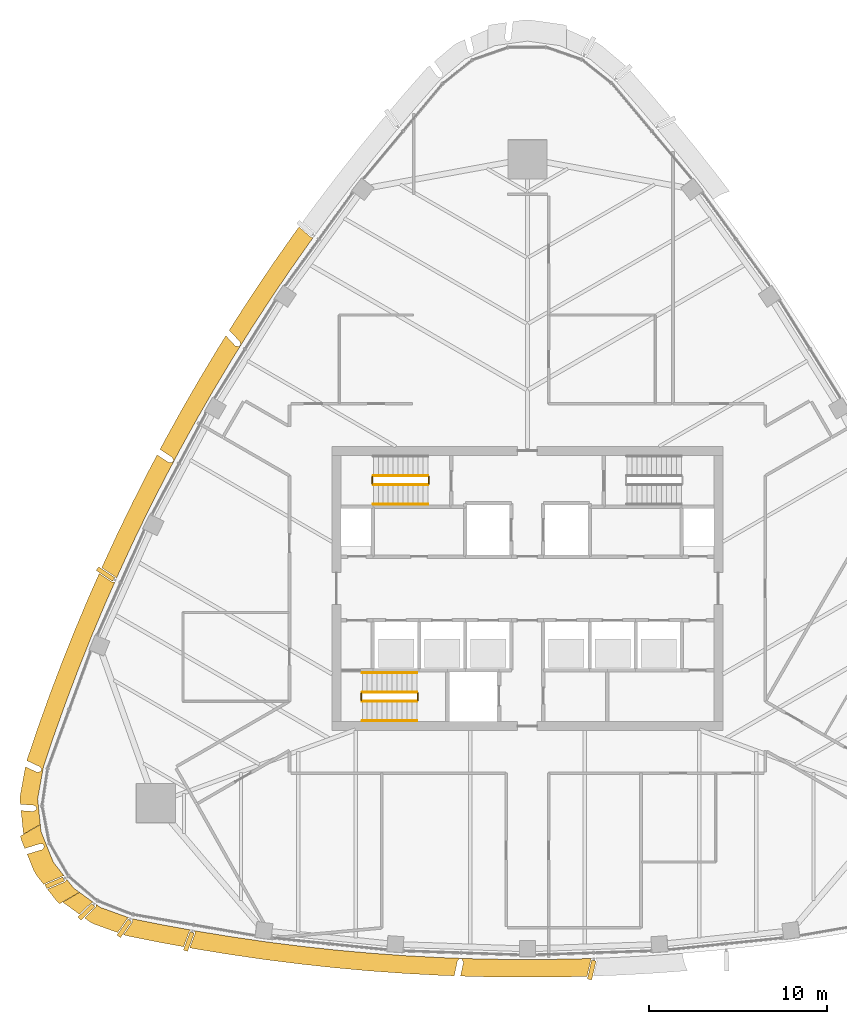
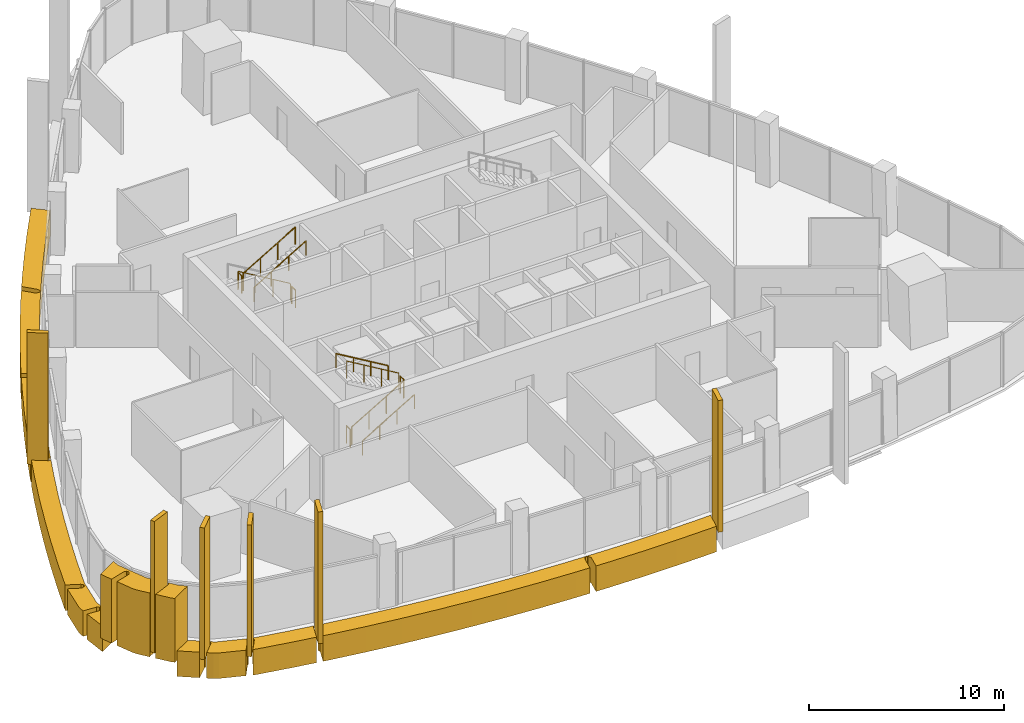
# One storey, part 15 of 18: 14 coverings, 11 railings.
"""IFC4 building model written with IfcOpenShell, lengths in metres."""

from ifc_helpers import new_model, si_unit, direction, frame, origin, origin_2d, place, context, subcontext, project, spatial, polyline, rectangle, circle, outline, extrude, material, layer, layer_set, material_profile, profile_set, type_object, element, save


model = new_model("IFC4")

# Units and contexts
model_context = context("Model", 3, precision=1e-05, world=origin(), true_north=direction((0.0, 1.0)))
body_context = subcontext(model_context, "Body", "Model", "MODEL_VIEW")
ifc_project = project(units=[si_unit("LENGTHUNIT", "METRE"), si_unit("AREAUNIT", "SQUARE_METRE"), si_unit("VOLUMEUNIT", "CUBIC_METRE"), si_unit("PLANEANGLEUNIT", "RADIAN"), si_unit("MASSUNIT", "GRAM", prefix="KILO")], contexts=[model_context])

# Site, building, storey
site_placement = place(None, origin())
site = spatial("IfcSite", under=ifc_project, at=site_placement, CompositionType="ELEMENT")
building_placement = place(site_placement, origin())
building = spatial("IfcBuilding", under=site, at=building_placement, Name="Sierra Prisma Convention Tower", CompositionType="ELEMENT")
storey_placement = place(building_placement, frame((0.0, 0.0, 279.0)))
storey = spatial("IfcBuildingStorey", under=building, at=storey_placement, Name="L63", CompositionType="ELEMENT", Elevation=279.0)

# Coverings
ifc_material_1 = material(Name="Aluminium composite bronze anodised", Category="aluminium")
ifc_layer_1 = layer(ifc_material_1, 1.199951171875)
ifc_layer_set_1 = layer_set([ifc_layer_1], Name="Bronze corner pier")
covering_type_1 = type_object("IfcCoveringType", Name="Bronze corner pier", PredefinedType="CLADDING", material=ifc_layer_set_1)
covering_1_placement = place(storey_placement, frame((0.0, 0.0, -0.60009765625)))
element("IfcCovering", 1, at=covering_1_placement, inside=storey, type_object=covering_type_1, Name="Corner pier SW L63.1", PredefinedType="CLADDING", context=body_context, shape_type="SweptSolid", body=[
    extrude(outline(polyline([(-27.213623046875, -14.5615234375), (-27.212158203125, -14.55712890625), (-27.2109375, -14.552490234375), (-27.210205078125, -14.547607421875), (-27.210205078125, -14.54296875), (-27.210205078125, -14.5380859375), (-27.2109375, -14.533447265625), (-27.212158203125, -14.52880859375), (-27.213623046875, -14.524169921875), (-27.251220703125, -14.431396484375), (-27.253173828125, -14.427001953125), (-27.255615234375, -14.4228515625), (-27.25830078125, -14.4189453125), (-27.26171875, -14.415283203125), (-27.26513671875, -14.412109375), (-27.26904296875, -14.4091796875), (-27.273193359375, -14.406494140625), (-27.277587890625, -14.404296875), (-27.281982421875, -14.402587890625), (-27.286865234375, -14.4013671875), (-27.415771484375, -14.373046875), (-27.4208984375, -14.372314453125), (-27.426025390625, -14.371826171875), (-27.43115234375, -14.3720703125), (-27.436279296875, -14.372802734375), (-27.441162109375, -14.3740234375), (-28.302978515625, -14.636962890625), (-28.501708984375, -14.14404296875), (-28.551513671875, -13.94384765625), (-27.43017578125, -13.29638671875), (-27.388916015625, -13.695068359375), (-26.696044921875, -15.412841796875), (-26.085693359375, -16.193359375), (-26.157958984375, -16.192138671875), (-26.1630859375, -16.1923828125), (-26.168212890625, -16.193115234375), (-26.17333984375, -16.1943359375), (-26.17822265625, -16.1962890625), (-27.1904296875, -16.62646484375), (-27.19482421875, -16.628662109375), (-27.19921875, -16.631103515625), (-27.202880859375, -16.63427734375), (-27.20654296875, -16.637451171875), (-27.2099609375, -16.64111328125), (-27.212890625, -16.645263671875), (-27.215087890625, -16.6494140625), (-27.21728515625, -16.65380859375), (-27.218994140625, -16.658447265625), (-27.22021484375, -16.663330078125), (-27.220703125, -16.668212890625), (-27.220947265625, -16.673095703125), (-27.220703125, -16.677978515625), (-27.219970703125, -16.682861328125), (-27.218505859375, -16.6875), (-27.216796875, -16.692138671875), (-27.214599609375, -16.697509765625), (-27.64111328125, -16.15234375), (-27.808837890625, -15.86181640625), (-28.17138671875, -14.962890625), (-27.339111328125, -14.708740234375), (-27.334228515625, -14.70703125), (-27.32958984375, -14.704833984375), (-27.325439453125, -14.702392578125), (-27.3212890625, -14.69921875), (-27.317626953125, -14.69580078125), (-27.314453125, -14.692138671875), (-27.220947265625, -14.573974609375), (-27.218017578125, -14.570068359375), (-27.2158203125, -14.56591796875), (-27.213623046875, -14.5615234375)])), origin(), (0.0, 0.0, 1.0), 4.0),
])
covering_2_placement = place(storey_placement, frame((0.0, 0.0, -0.60009765625)))
element("IfcCovering", 2, at=covering_2_placement, inside=storey, type_object=covering_type_1, Name="Corner pier SW L63.2", PredefinedType="CLADDING", context=body_context, shape_type="SweptSolid", body=[
    extrude(outline(polyline([(-25.22998046875, -17.10693359375), (-26.3515625, -17.75439453125), (-26.5, -17.611328125), (-27.027099609375, -16.9375), (-26.041259765625, -16.518310546875), (-26.036865234375, -16.51611328125), (-26.032470703125, -16.513427734375), (-26.028564453125, -16.510498046875), (-26.02490234375, -16.507080078125), (-26.021728515625, -16.50341796875), (-26.018798828125, -16.499267578125), (-26.016357421875, -16.4951171875), (-25.950439453125, -16.3662109375), (-25.5546875, -16.8720703125), (-25.22998046875, -17.10693359375)])), origin(), (0.0, 0.0, 1.0), 4.0),
])
ifc_material_2 = material(Name="Aluminium 6063-T6 bronze anodised", Category="aluminium")
ifc_material_profile = material_profile(ifc_material_2, rectangle(XDim=1.10009765625, YDim=0.25, at=origin_2d()), Name="ALU FIN 1100x250")
ifc_profile_set = profile_set([ifc_material_profile], Name="Aluminium 6063-T6 bronze anodised")
covering_type_2 = type_object("IfcCoveringType", Name="Bronze facade fin", PredefinedType="CLADDING", material=ifc_profile_set)
for number, where, z_axis, x_axis, name in (
    (3, (-22.69970703125, -19.139404296875, -0.300048828125), (0.0, 0.0, 1.0), (-0.571290186492, -0.820748148227, 0.0), "Fin L63.1"),
    (4, (-19.069091796875, -19.88232421875, -0.300048828125), (0.0, 0.0, 1.0), (-0.346413093628, -0.938082069204, 0.0), "Fin L63.2"),
    (5, (3.61962890625, -21.48193359375, -0.300048828125), (0.0, 0.0, 1.0), (-0.224039163648, -0.974580141985, 0.0), "Fin L63.11"),
    (6, (-23.757080078125, 0.8173828125, -0.300048828125), (0.0, 0.0, 1.0), (-0.830604141908, 0.55686332205, 0.0), "Fin L63.58"),
    (7, (-26.615966796875, -16.572509765625, -0.300048828125), (0.0, 0.0, 1.0), (-0.920286816976, -0.391244392293, 0.0), "Fin L63.65"),
    (8, (-24.8359375, -18.209228515625, -0.300048828125), (0.0, 0.0, 1.0), (-0.718176654057, -0.695860829166, 0.0), "Fin L63.66"),
):
    element("IfcCovering", number, at=place(storey_placement, frame(where, z_axis=z_axis, x_axis=x_axis)), inside=storey, type_object=covering_type_2, Name=name, ObjectType="FIN", PredefinedType="CLADDING", context=body_context, shape_type="SweptSolid", body=[
        extrude(rectangle(XDim=1.10009765625, YDim=0.25, at=origin_2d()), origin(), (0.0, 0.0, 1.0), 8.25),
    ])
ifc_material_3 = material(Name="Aluminium composite bronze anodised", Category="aluminium")
ifc_layer_2 = layer(ifc_material_3, 1.0)
ifc_layer_set_2 = layer_set([ifc_layer_2], Name="Bronze spandrel band")
covering_type_3 = type_object("IfcCoveringType", Name="Bronze spandrel band", PredefinedType="CLADDING", material=ifc_layer_set_2)
covering_3_placement = place(storey_placement, frame((0.0, 0.0, -1.60009765625)))
element("IfcCovering", 9, at=covering_3_placement, inside=storey, type_object=covering_type_3, Name="Spandrel band L63.1", PredefinedType="CLADDING", context=body_context, shape_type="SweptSolid", body=[
    extrude(outline(polyline([(-27.660400390625, -12.312255859375), (-27.6611328125, -12.30712890625), (-27.66259765625, -12.302001953125), (-27.664306640625, -12.29736328125), (-27.66650390625, -12.292724609375), (-27.66943359375, -12.288330078125), (-27.672607421875, -12.2841796875), (-27.67626953125, -12.280517578125), (-27.68017578125, -12.27734375), (-27.6845703125, -12.2744140625), (-27.789794921875, -12.2119140625), (-27.7939453125, -12.209716796875), (-27.798095703125, -12.207763671875), (-27.802490234375, -12.206298828125), (-27.80712890625, -12.205322265625), (-27.811767578125, -12.204833984375), (-28.553955078125, -12.151611328125), (-28.57421875, -11.955322265625), (-28.563720703125, -11.676025390625), (-28.2705078125, -10.039306640625), (-27.618896484375, -10.345458984375), (-27.614501953125, -10.347412109375), (-27.609619140625, -10.3486328125), (-27.604736328125, -10.349609375), (-27.599853515625, -10.35009765625), (-27.594970703125, -10.35009765625), (-27.58984375, -10.349609375), (-27.585205078125, -10.348388671875), (-27.422607421875, -10.305908203125), (-27.418212890625, -10.304443359375), (-27.413818359375, -10.302490234375), (-27.40966796875, -10.30029296875), (-27.405517578125, -10.297607421875), (-27.402099609375, -10.294677734375), (-27.398681640625, -10.291259765625), (-27.3955078125, -10.28759765625), (-27.392822265625, -10.28369140625), (-27.390380859375, -10.27978515625), (-27.388671875, -10.275390625), (-27.38720703125, -10.27099609375), (-27.385986328125, -10.266357421875), (-27.368408203125, -10.167724609375), (-27.367919921875, -10.162841796875), (-27.36767578125, -10.157958984375), (-27.367919921875, -10.153076171875), (-27.368896484375, -10.148193359375), (-27.3701171875, -10.143310546875), (-27.371826171875, -10.138671875), (-27.374267578125, -10.13427734375), (-27.376708984375, -10.130126953125), (-27.3798828125, -10.126220703125), (-27.45361328125, -10.041015625), (-27.457275390625, -10.037353515625), (-27.461181640625, -10.033935546875), (-27.465576171875, -10.031005859375), (-27.47021484375, -10.028564453125), (-28.193115234375, -9.688720703125), (-27.5732421875, -7.85791015625), (-27.5673828125, -7.8408203125), (-26.90771484375, -6.001708984375), (-26.901611328125, -5.98486328125), (-26.208984375, -4.15771484375), (-26.202392578125, -4.14111328125), (-25.477294921875, -2.32666015625), (-25.470458984375, -2.31005859375), (-24.712890625, -0.509033203125), (-24.705810546875, -0.492431640625), (-24.1142578125, 0.84619140625), (-23.397705078125, 0.36572265625), (-23.393798828125, 0.36328125), (-23.3896484375, 0.361083984375), (-23.38525390625, 0.359619140625), (-23.380859375, 0.3583984375), (-23.376220703125, 0.357666015625), (-23.37158203125, 0.357177734375), (-23.366943359375, 0.357421875), (-23.2333984375, 0.365234375), (-23.791015625, -0.896728515625), (-24.548583984375, -2.69775390625), (-25.27392578125, -4.51220703125), (-25.96630859375, -6.33935546875), (-26.626220703125, -8.178466796875), (-27.252685546875, -10.029296875), (-27.57958984375, -11.8525390625), (-27.431396484375, -13.28564453125), (-28.37548828125, -13.830810546875), (-28.383544921875, -13.7978515625), (-28.517333984375, -12.505126953125), (-27.8369140625, -12.553955078125), (-27.832275390625, -12.55419921875), (-27.82763671875, -12.5537109375), (-27.822998046875, -12.552978515625), (-27.818603515625, -12.552001953125), (-27.814208984375, -12.55029296875), (-27.809814453125, -12.54833984375), (-27.805908203125, -12.5458984375), (-27.672607421875, -12.458740234375), (-27.66845703125, -12.455810546875), (-27.664794921875, -12.452392578125), (-27.661376953125, -12.44873046875), (-27.658447265625, -12.44482421875), (-27.65576171875, -12.440673828125), (-27.65380859375, -12.43603515625), (-27.652099609375, -12.431396484375), (-27.65087890625, -12.426513671875), (-27.650146484375, -12.421630859375), (-27.64990234375, -12.416748046875), (-27.650146484375, -12.41162109375), (-27.660400390625, -12.312255859375)])), origin(), (0.0, 0.0, 1.0), 1.60009765625),
])
covering_4_placement = place(storey_placement, frame((0.0, 0.0, -1.60009765625)))
element("IfcCovering", 10, at=covering_4_placement, inside=storey, type_object=covering_type_3, Name="Spandrel band L63.2", PredefinedType="CLADDING", context=body_context, shape_type="SweptSolid", body=[
    extrude(outline(polyline([(-24.555419921875, -17.695068359375), (-24.55908203125, -17.69775390625), (-24.5625, -17.700927734375), (-25.2265625, -18.34423828125), (-26.14111328125, -17.681884765625), (-26.16552734375, -17.658447265625), (-25.22119140625, -17.11328125), (-24.46142578125, -17.66357421875), (-24.542724609375, -17.689208984375), (-24.547119140625, -17.690673828125), (-24.551513671875, -17.692626953125), (-24.555419921875, -17.695068359375)])), origin(), (0.0, 0.0, 1.0), 1.60009765625),
])
covering_5_placement = place(storey_placement, frame((0.0, 0.0, -1.60009765625)))
element("IfcCovering", 11, at=covering_5_placement, inside=storey, type_object=covering_type_3, Name="Spandrel band L63.3", PredefinedType="CLADDING", context=body_context, shape_type="SweptSolid", body=[
    extrude(outline(polyline([(-22.522216796875, -18.580078125), (-22.52587890625, -18.583984375), (-22.529052734375, -18.587890625), (-23.076416015625, -19.374267578125), (-24.393798828125, -18.89892578125), (-24.640869140625, -18.768310546875), (-24.938720703125, -18.552490234375), (-24.319091796875, -17.9521484375), (-24.31591796875, -17.948974609375), (-24.31298828125, -17.9453125), (-24.310546875, -17.94140625), (-24.308349609375, -17.93701171875), (-24.306640625, -17.932861328125), (-24.305419921875, -17.928466796875), (-24.304443359375, -17.923828125), (-24.284423828125, -17.791748046875), (-24.05419921875, -17.958251953125), (-22.452392578125, -18.536376953125), (-22.513916015625, -18.57373046875), (-22.518310546875, -18.57666015625), (-22.522216796875, -18.580078125)])), origin(), (0.0, 0.0, 1.0), 1.60009765625),
])
covering_6_placement = place(storey_placement, frame((0.0, 0.0, -1.60009765625)))
element("IfcCovering", 12, at=covering_6_placement, inside=storey, type_object=covering_type_3, Name="Spandrel band L63.4", PredefinedType="CLADDING", context=body_context, shape_type="SweptSolid", body=[
    extrude(outline(polyline([(-21.33349609375, 6.6162109375), (-21.3251953125, 6.632080078125), (-20.853271484375, 7.521484375), (-20.202392578125, 7.099609375), (-20.197998046875, 7.09716796875), (-20.193603515625, 7.09521484375), (-20.188720703125, 7.093505859375), (-20.183837890625, 7.09228515625), (-20.1787109375, 7.091796875), (-20.173828125, 7.091796875), (-20.023193359375, 7.09619140625), (-20.0185546875, 7.0966796875), (-20.013916015625, 7.097412109375), (-20.009033203125, 7.0986328125), (-20.004638671875, 7.100341796875), (-20.00048828125, 7.1025390625), (-19.996337890625, 7.10498046875), (-19.992431640625, 7.10791015625), (-19.989013671875, 7.111083984375), (-19.98583984375, 7.11474609375), (-19.98291015625, 7.11865234375), (-19.980712890625, 7.122802734375), (-19.93359375, 7.211181640625), (-19.931640625, 7.215576171875), (-19.929931640625, 7.219970703125), (-19.9287109375, 7.224853515625), (-19.927978515625, 7.2294921875), (-19.927978515625, 7.234375), (-19.927978515625, 7.2392578125), (-19.9287109375, 7.244140625), (-19.929931640625, 7.248779296875), (-19.931396484375, 7.25341796875), (-19.93359375, 7.2578125), (-19.9951171875, 7.374755859375), (-19.997802734375, 7.379150390625), (-20.000732421875, 7.38330078125), (-20.004150390625, 7.386962890625), (-20.008056640625, 7.390380859375), (-20.01220703125, 7.393310546875), (-20.688720703125, 7.83203125), (-20.40966796875, 8.358154296875), (-20.40087890625, 8.373779296875), (-19.45458984375, 10.083251953125), (-19.44580078125, 10.098876953125), (-18.46875, 11.791015625), (-18.459716796875, 11.806396484375), (-17.452392578125, 13.48095703125), (-17.443115234375, 13.49609375), (-16.981201171875, 14.233642578125), (-16.45751953125, 13.6708984375), (-16.453857421875, 13.66748046875), (-16.449951171875, 13.664306640625), (-16.44580078125, 13.66162109375), (-16.44140625, 13.659423828125), (-16.436767578125, 13.65771484375), (-16.431884765625, 13.65625), (-16.427001953125, 13.655517578125), (-16.260498046875, 13.634521484375), (-16.255615234375, 13.634033203125), (-16.2509765625, 13.63427734375), (-16.246337890625, 13.634765625), (-16.24169921875, 13.6357421875), (-16.237060546875, 13.63720703125), (-16.232666015625, 13.638916015625), (-16.228515625, 13.64111328125), (-16.224609375, 13.643798828125), (-16.220947265625, 13.646728515625), (-16.217529296875, 13.64990234375), (-16.214599609375, 13.65380859375), (-16.2119140625, 13.657470703125), (-16.15869140625, 13.7421875), (-16.15625, 13.74658203125), (-16.154296875, 13.751220703125), (-16.15283203125, 13.755859375), (-16.15185546875, 13.7607421875), (-16.151123046875, 13.765625), (-16.151123046875, 13.7705078125), (-16.151611328125, 13.775390625), (-16.152587890625, 13.780517578125), (-16.15380859375, 13.78515625), (-16.190673828125, 13.8916015625), (-16.192626953125, 13.896484375), (-16.195068359375, 13.901123046875), (-16.197998046875, 13.905517578125), (-16.201416015625, 13.909423828125), (-16.7890625, 14.540771484375), (-16.406005859375, 15.152099609375), (-16.396484375, 15.167236328125), (-15.330078125, 16.804443359375), (-15.320068359375, 16.819580078125), (-14.224365234375, 18.437255859375), (-14.214111328125, 18.451904296875), (-13.08984375, 20.050048828125), (-13.079345703125, 20.064697265625), (-12.861328125, 20.36279296875), (-12.2080078125, 19.79150390625), (-12.203857421875, 19.788330078125), (-12.19970703125, 19.78564453125), (-12.1953125, 19.783203125), (-12.1904296875, 19.781494140625), (-12.185546875, 19.7802734375), (-12.1806640625, 19.779296875), (-12.059326171875, 19.765380859375), (-12.27197265625, 19.474609375), (-13.396484375, 17.876708984375), (-14.4921875, 16.2587890625), (-15.55859375, 14.62158203125), (-16.595703125, 12.96533203125), (-17.602783203125, 11.291015625), (-18.57958984375, 9.598876953125), (-19.526123046875, 7.889404296875), (-20.44189453125, 6.163330078125), (-21.326416015625, 4.421142578125), (-22.1796875, 2.663330078125), (-23.00146484375, 0.890625), (-23.14501953125, 0.565185546875), (-23.187255859375, 0.639404296875), (-23.189697265625, 0.643310546875), (-23.1923828125, 0.647216796875), (-23.195556640625, 0.650390625), (-23.19921875, 0.653564453125), (-23.202880859375, 0.656494140625), (-23.970703125, 1.171142578125), (-23.916015625, 1.294677734375), (-23.90869140625, 1.31103515625), (-23.087158203125, 3.083984375), (-23.079345703125, 3.10009765625), (-22.22607421875, 4.85791015625), (-22.218017578125, 4.873779296875), (-21.33349609375, 6.6162109375)])), origin(), (0.0, 0.0, 1.0), 1.60009765625),
])
covering_7_placement = place(storey_placement, frame((0.0, 0.0, -1.60009765625)))
element("IfcCovering", 13, at=covering_7_placement, inside=storey, type_object=covering_type_3, Name="Spandrel band L63.12", PredefinedType="CLADDING", context=body_context, shape_type="SweptSolid", body=[
    extrude(outline(polyline([(-3.678466796875, -20.897216796875), (-3.680908203125, -20.892822265625), (-3.68359375, -20.888671875), (-3.686767578125, -20.885009765625), (-3.690185546875, -20.88134765625), (-3.694091796875, -20.87841796875), (-3.6982421875, -20.87548828125), (-3.70263671875, -20.873291015625), (-3.707275390625, -20.871337890625), (-3.7119140625, -20.8701171875), (-3.716796875, -20.868896484375), (-3.721923828125, -20.86865234375), (-3.82177734375, -20.864990234375), (-3.826904296875, -20.864990234375), (-3.83203125, -20.86572265625), (-3.837158203125, -20.866943359375), (-3.842041015625, -20.868408203125), (-3.8466796875, -20.87060546875), (-3.851318359375, -20.873291015625), (-3.85546875, -20.87646484375), (-3.859130859375, -20.8798828125), (-3.862548828125, -20.8837890625), (-3.939208984375, -20.9794921875), (-3.94189453125, -20.983154296875), (-3.9443359375, -20.987060546875), (-3.9462890625, -20.9912109375), (-3.947998046875, -20.99560546875), (-3.94921875, -21.000244140625), (-4.12255859375, -21.812744140625), (-4.919189453125, -21.7841796875), (-4.93701171875, -21.783447265625), (-6.88818359375, -21.678466796875), (-6.906005859375, -21.67724609375), (-8.85498046875, -21.537353515625), (-8.872802734375, -21.535888671875), (-10.81884765625, -21.361083984375), (-10.8369140625, -21.359375), (-12.779296875, -21.149658203125), (-12.797119140625, -21.1474609375), (-14.73583984375, -20.903076171875), (-14.753662109375, -20.900634765625), (-16.6875, -20.62158203125), (-16.705078125, -20.61865234375), (-18.6337890625, -20.304931640625), (-18.6513671875, -20.302001953125), (-19.01318359375, -20.236328125), (-18.71435546875, -19.427001953125), (-18.712890625, -19.422607421875), (-18.7119140625, -19.418212890625), (-18.71142578125, -19.41357421875), (-18.711181640625, -19.408935546875), (-18.71142578125, -19.404296875), (-18.71240234375, -19.399658203125), (-18.71337890625, -19.39501953125), (-18.75244140625, -19.267333984375), (-18.47314453125, -19.31787109375), (-16.544677734375, -19.631591796875), (-14.610595703125, -19.910888671875), (-12.672119140625, -20.155517578125), (-10.7294921875, -20.364990234375), (-8.783203125, -20.539794921875), (-6.83447265625, -20.679931640625), (-4.88330078125, -20.784912109375), (-2.9306640625, -20.85498046875), (-0.97705078125, -20.889892578125), (0.97705078125, -20.889892578125), (2.9306640625, -20.85498046875), (3.62451171875, -20.830078125), (3.5810546875, -20.8876953125), (3.578125, -20.89208984375), (3.57568359375, -20.896728515625), (3.57373046875, -20.901611328125), (3.572509765625, -20.906494140625), (3.357666015625, -21.840087890625), (2.96630859375, -21.854248046875), (2.948486328125, -21.854736328125), (0.994873046875, -21.8896484375), (0.97705078125, -21.889892578125), (-0.97705078125, -21.889892578125), (-0.994873046875, -21.8896484375), (-2.948486328125, -21.854736328125), (-2.96630859375, -21.854248046875), (-3.767333984375, -21.825439453125), (-3.606689453125, -21.0732421875), (-3.60595703125, -21.068603515625), (-3.605712890625, -21.06396484375), (-3.605712890625, -21.059326171875), (-3.606201171875, -21.0546875), (-3.607421875, -21.05029296875), (-3.608642578125, -21.0458984375), (-3.610595703125, -21.04150390625), (-3.678466796875, -20.897216796875)])), origin(), (0.0, 0.0, 1.0), 1.60009765625),
])
covering_8_placement = place(storey_placement, frame((0.0, 0.0, -1.60009765625)))
element("IfcCovering", 14, at=covering_8_placement, inside=storey, type_object=covering_type_3, Name="Spandrel band L63.13", PredefinedType="CLADDING", context=body_context, shape_type="SweptSolid", body=[
    extrude(outline(polyline([(-19.0361328125, -19.293701171875), (-19.03857421875, -19.297607421875), (-19.040771484375, -19.301513671875), (-19.04248046875, -19.305908203125), (-19.36279296875, -20.173095703125), (-20.57421875, -19.95361328125), (-20.591796875, -19.9501953125), (-22.5078125, -19.567626953125), (-22.6513671875, -19.527587890625), (-22.735595703125, -19.497314453125), (-22.241943359375, -18.787841796875), (-22.2392578125, -18.78369140625), (-22.237060546875, -18.779296875), (-22.2353515625, -18.774658203125), (-22.23388671875, -18.769775390625), (-22.233154296875, -18.764892578125), (-22.23291015625, -18.760009765625), (-22.233154296875, -18.7548828125), (-22.246826171875, -18.599853515625), (-20.395751953125, -18.969482421875), (-18.967529296875, -19.228515625), (-19.02978515625, -19.28662109375), (-19.033203125, -19.2900390625), (-19.0361328125, -19.293701171875)])), origin(), (0.0, 0.0, 1.0), 1.60009765625),
])

# Railings
ifc_material_4 = material(Name="Stainless steel", Category="steel")
railing_type_1 = type_object("IfcRailingType", Name="Exit stair handrail", PredefinedType="HANDRAIL", material=ifc_material_4)
railing_1_placement = place(storey_placement, frame((-9.300048828125, -7.449951171875, 0.166748046875)))
element("IfcRailing", 15, at=railing_1_placement, inside=storey, type_object=railing_type_1, Name="L63 S1 stair handrail 1", PredefinedType="HANDRAIL", context=body_context, shape_type="SweptSolid", body=[
    extrude(circle(Radius=0.02392578125, at=origin_2d()), frame((0.0, 0.0, 0.8759765625), z_axis=(0.859308565015, 0.0, 0.511457515432), x_axis=(0.0, 1.0, 0.0)), (0.0, 0.0, 1.0), 3.58447265625),
    extrude(circle(Radius=0.02099609375, at=origin_2d()), origin(), (0.0, 0.0, 1.0), 0.851806640625),
    extrude(circle(Radius=0.02099609375, at=origin_2d()), frame((1.026611328125, 0.0, 0.611083984375)), (0.0, 0.0, 1.0), 0.851806640625),
    extrude(circle(Radius=0.02099609375, at=origin_2d()), frame((2.053466796875, 0.0, 1.22216796875)), (0.0, 0.0, 1.0), 0.851806640625),
    extrude(circle(Radius=0.02099609375, at=origin_2d()), frame((3.080078125, 0.0, 1.833251953125)), (0.0, 0.0, 1.0), 0.851806640625),
])
railing_2_placement = place(storey_placement, frame((-6.219970703125, -4.75, 2.166748046875)))
element("IfcRailing", 16, at=railing_2_placement, inside=storey, type_object=railing_type_1, Name="L63 S1 stair handrail 2", PredefinedType="HANDRAIL", context=body_context, shape_type="SweptSolid", body=[
    extrude(circle(Radius=0.02392578125, at=origin_2d()), frame((0.0, 0.0, 0.8759765625), z_axis=(-0.859308565015, 0.0, 0.511457515432), x_axis=(0.0, -1.0, 0.0)), (0.0, 0.0, 1.0), 3.58447265625),
    extrude(circle(Radius=0.02099609375, at=origin_2d()), origin(), (0.0, 0.0, 1.0), 0.851806640625),
    extrude(circle(Radius=0.02099609375, at=origin_2d()), frame((-1.026611328125, 0.0, 0.611083984375)), (0.0, 0.0, 1.0), 0.851806640625),
    extrude(circle(Radius=0.02099609375, at=origin_2d()), frame((-2.053466796875, 0.0, 1.22216796875)), (0.0, 0.0, 1.0), 0.851806640625),
    extrude(circle(Radius=0.02099609375, at=origin_2d()), frame((-3.080078125, 0.0, 1.833251953125)), (0.0, 0.0, 1.0), 0.851806640625),
])
railing_3_placement = place(storey_placement, frame((-8.679931640625, 4.75, 2.166748046875)))
element("IfcRailing", 17, at=railing_3_placement, inside=storey, type_object=railing_type_1, Name="L63 S3 stair handrail 2", PredefinedType="HANDRAIL", context=body_context, shape_type="SweptSolid", body=[
    extrude(circle(Radius=0.02392578125, at=origin_2d()), frame((0.0, 0.0, 0.8759765625), z_axis=(0.859290745958, 0.0, 0.51148745235), x_axis=(0.0, 1.0, 0.0)), (0.0, 0.0, 1.0), 3.584228515625),
    extrude(circle(Radius=0.02099609375, at=origin_2d()), origin(), (0.0, 0.0, 1.0), 0.851806640625),
    extrude(circle(Radius=0.02099609375, at=origin_2d()), frame((1.026611328125, 0.0, 0.611083984375)), (0.0, 0.0, 1.0), 0.851806640625),
    extrude(circle(Radius=0.02099609375, at=origin_2d()), frame((2.05322265625, 0.0, 1.22216796875)), (0.0, 0.0, 1.0), 0.851806640625),
    extrude(circle(Radius=0.02099609375, at=origin_2d()), frame((3.079833984375, 0.0, 1.833251953125)), (0.0, 0.0, 1.0), 0.851806640625),
])
ifc_material_5 = material(Name="Stainless steel", Category="steel")
railing_type_2 = type_object("IfcRailingType", Name="Stair guard 1100", PredefinedType="GUARDRAIL", material=ifc_material_5)
railing_4_placement = place(storey_placement, frame((-9.300048828125, -6.35009765625, 0.166748046875)))
element("IfcRailing", 18, at=railing_4_placement, inside=storey, type_object=railing_type_2, Name="L63 S1 stair guard 1", PredefinedType="GUARDRAIL", context=body_context, shape_type="SweptSolid", body=[
    extrude(circle(Radius=0.02392578125, at=origin_2d()), frame((0.0, 0.0, 1.076171875), z_axis=(0.859308565015, 0.0, 0.511457515432), x_axis=(0.0, 1.0, 0.0)), (0.0, 0.0, 1.0), 3.58447265625),
    extrude(circle(Radius=0.02099609375, at=origin_2d()), origin(), (0.0, 0.0, 1.0), 1.052001953125),
    extrude(circle(Radius=0.02099609375, at=origin_2d()), frame((1.026611328125, 0.0, 0.611083984375)), (0.0, 0.0, 1.0), 1.052001953125),
    extrude(circle(Radius=0.02099609375, at=origin_2d()), frame((2.053466796875, 0.0, 1.22216796875)), (0.0, 0.0, 1.0), 1.052001953125),
    extrude(circle(Radius=0.02099609375, at=origin_2d()), frame((3.080078125, 0.0, 1.833251953125)), (0.0, 0.0, 1.0), 1.052001953125),
])
railing_5_placement = place(storey_placement, frame((-6.169921875, -6.300048828125, 2.0)))
element("IfcRailing", 19, at=railing_5_placement, inside=storey, type_object=railing_type_2, Name="L63 S1 stair guard 2", PredefinedType="GUARDRAIL", context=body_context, shape_type="SweptSolid", body=[
    extrude(circle(Radius=0.02392578125, at=origin_2d()), frame((0.0, 0.0, 1.076171875), z_axis=(0.0, 1.0, 0.0), x_axis=(-1.0, 0.0, 0.0)), (0.0, 0.0, 1.0), 0.400146484375),
    extrude(circle(Radius=0.02099609375, at=origin_2d()), origin(), (0.0, 0.0, 1.0), 1.052001953125),
    extrude(circle(Radius=0.02099609375, at=origin_2d()), frame((0.0, 0.400146484375, 0.0)), (0.0, 0.0, 1.0), 1.052001953125),
])
railing_6_placement = place(storey_placement, frame((-6.219970703125, -5.85009765625, 2.166748046875)))
element("IfcRailing", 20, at=railing_6_placement, inside=storey, type_object=railing_type_2, Name="L63 S1 stair guard 3", PredefinedType="GUARDRAIL", context=body_context, shape_type="SweptSolid", body=[
    extrude(circle(Radius=0.02392578125, at=origin_2d()), frame((0.0, 0.0, 1.076171875), z_axis=(-0.859308565015, 0.0, 0.511457515432), x_axis=(0.0, -1.0, 0.0)), (0.0, 0.0, 1.0), 3.58447265625),
    extrude(circle(Radius=0.02099609375, at=origin_2d()), origin(), (0.0, 0.0, 1.0), 1.052001953125),
    extrude(circle(Radius=0.02099609375, at=origin_2d()), frame((-1.026611328125, 0.0, 0.611083984375)), (0.0, 0.0, 1.0), 1.052001953125),
    extrude(circle(Radius=0.02099609375, at=origin_2d()), frame((-2.053466796875, 0.0, 1.22216796875)), (0.0, 0.0, 1.0), 1.052001953125),
    extrude(circle(Radius=0.02099609375, at=origin_2d()), frame((-3.080078125, 0.0, 1.833251953125)), (0.0, 0.0, 1.0), 1.052001953125),
])
railing_7_placement = place(storey_placement, frame((-9.35009765625, -6.300048828125, 0.0)))
element("IfcRailing", 21, at=railing_7_placement, inside=storey, type_object=railing_type_2, Name="L63 S1 stair guard 4", PredefinedType="GUARDRAIL", context=body_context, shape_type="SweptSolid", body=[
    extrude(circle(Radius=0.02392578125, at=origin_2d()), frame((0.0, 0.0, 1.076171875), z_axis=(0.0, 1.0, 0.0), x_axis=(-1.0, 0.0, 0.0)), (0.0, 0.0, 1.0), 0.400146484375),
    extrude(circle(Radius=0.02099609375, at=origin_2d()), origin(), (0.0, 0.0, 1.0), 1.052001953125),
    extrude(circle(Radius=0.02099609375, at=origin_2d()), frame((0.0, 0.400146484375, 0.0)), (0.0, 0.0, 1.0), 1.052001953125),
])
railing_8_placement = place(storey_placement, frame((-5.60009765625, 6.35009765625, 0.166748046875)))
element("IfcRailing", 22, at=railing_8_placement, inside=storey, type_object=railing_type_2, Name="L63 S3 stair guard 1", PredefinedType="GUARDRAIL", context=body_context, shape_type="SweptSolid", body=[
    extrude(circle(Radius=0.02392578125, at=origin_2d()), frame((0.0, 0.0, 1.076171875), z_axis=(-0.859290745958, 0.0, 0.51148745235), x_axis=(0.0, -1.0, 0.0)), (0.0, 0.0, 1.0), 3.584228515625),
    extrude(circle(Radius=0.02099609375, at=origin_2d()), origin(), (0.0, 0.0, 1.0), 1.052001953125),
    extrude(circle(Radius=0.02099609375, at=origin_2d()), frame((-1.026611328125, 0.0, 0.611083984375)), (0.0, 0.0, 1.0), 1.052001953125),
    extrude(circle(Radius=0.02099609375, at=origin_2d()), frame((-2.05322265625, 0.0, 1.22216796875)), (0.0, 0.0, 1.0), 1.052001953125),
    extrude(circle(Radius=0.02099609375, at=origin_2d()), frame((-3.079833984375, 0.0, 1.833251953125)), (0.0, 0.0, 1.0), 1.052001953125),
])
railing_9_placement = place(storey_placement, frame((-8.72998046875, 6.300048828125, 2.0)))
element("IfcRailing", 23, at=railing_9_placement, inside=storey, type_object=railing_type_2, Name="L63 S3 stair guard 2", PredefinedType="GUARDRAIL", context=body_context, shape_type="SweptSolid", body=[
    extrude(circle(Radius=0.02392578125, at=origin_2d()), frame((0.0, 0.0, 1.076171875), z_axis=(0.0, -1.0, 0.0), x_axis=(1.0, 0.0, 0.0)), (0.0, 0.0, 1.0), 0.400146484375),
    extrude(circle(Radius=0.02099609375, at=origin_2d()), origin(), (0.0, 0.0, 1.0), 1.052001953125),
    extrude(circle(Radius=0.02099609375, at=origin_2d()), frame((0.0, -0.400146484375, 0.0)), (0.0, 0.0, 1.0), 1.052001953125),
])
railing_10_placement = place(storey_placement, frame((-8.679931640625, 5.85009765625, 2.166748046875)))
element("IfcRailing", 24, at=railing_10_placement, inside=storey, type_object=railing_type_2, Name="L63 S3 stair guard 3", PredefinedType="GUARDRAIL", context=body_context, shape_type="SweptSolid", body=[
    extrude(circle(Radius=0.02392578125, at=origin_2d()), frame((0.0, 0.0, 1.076171875), z_axis=(0.859290745958, 0.0, 0.51148745235), x_axis=(0.0, 1.0, 0.0)), (0.0, 0.0, 1.0), 3.584228515625),
    extrude(circle(Radius=0.02099609375, at=origin_2d()), origin(), (0.0, 0.0, 1.0), 1.052001953125),
    extrude(circle(Radius=0.02099609375, at=origin_2d()), frame((1.026611328125, 0.0, 0.611083984375)), (0.0, 0.0, 1.0), 1.052001953125),
    extrude(circle(Radius=0.02099609375, at=origin_2d()), frame((2.05322265625, 0.0, 1.22216796875)), (0.0, 0.0, 1.0), 1.052001953125),
    extrude(circle(Radius=0.02099609375, at=origin_2d()), frame((3.079833984375, 0.0, 1.833251953125)), (0.0, 0.0, 1.0), 1.052001953125),
])
railing_11_placement = place(storey_placement, frame((-5.550048828125, 6.300048828125, 0.0)))
element("IfcRailing", 25, at=railing_11_placement, inside=storey, type_object=railing_type_2, Name="L63 S3 stair guard 4", PredefinedType="GUARDRAIL", context=body_context, shape_type="SweptSolid", body=[
    extrude(circle(Radius=0.02392578125, at=origin_2d()), frame((0.0, 0.0, 1.076171875), z_axis=(0.0, -1.0, 0.0), x_axis=(1.0, 0.0, 0.0)), (0.0, 0.0, 1.0), 0.400146484375),
    extrude(circle(Radius=0.02099609375, at=origin_2d()), origin(), (0.0, 0.0, 1.0), 1.052001953125),
    extrude(circle(Radius=0.02099609375, at=origin_2d()), frame((0.0, -0.400146484375, 0.0)), (0.0, 0.0, 1.0), 1.052001953125),
])

save(model, "model.ifc")
